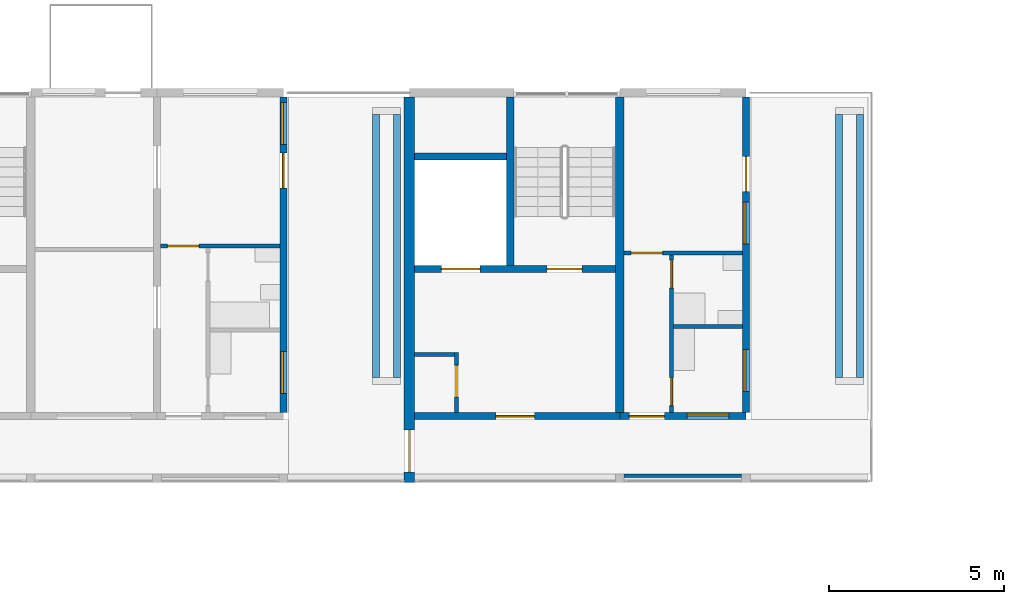
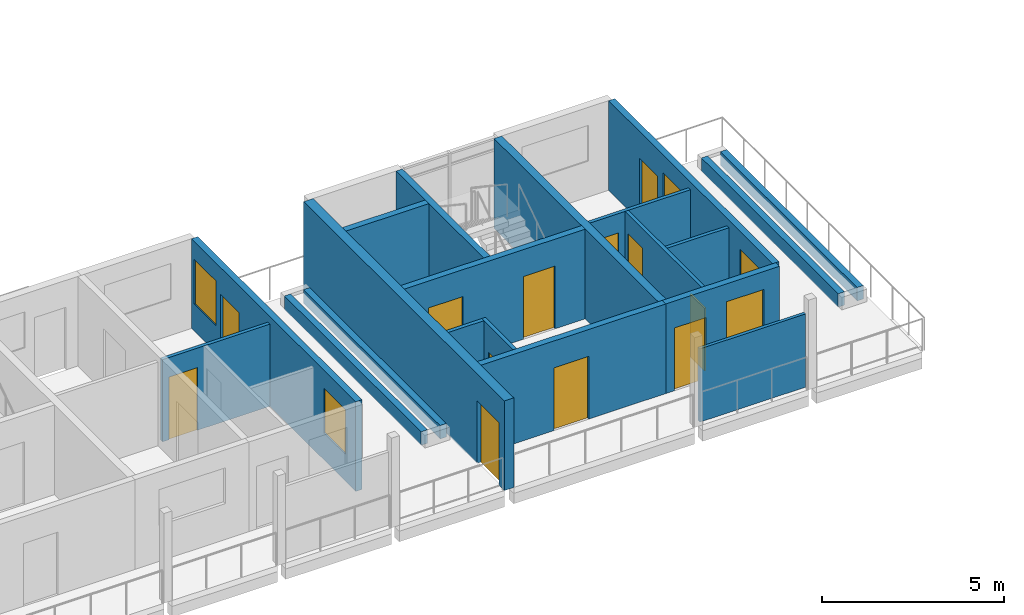
# One storey, part 41 of 94: 20 walls, 12 doors, 5 windows, 17 openings.
"""IFC4 building model written with IfcOpenShell, lengths in metres."""

from ifc_helpers import new_model, si_unit, direction, frame, frame_2d, origin, place, context, subcontext, project, spatial, rectangle, extrude, material, layer, layer_set, type_object, element, fill, save


model = new_model("IFC4")

# Units and contexts
model_context = context("Model", 3, precision=1e-05, world=origin(), true_north=direction((0.0, 1.0)))
body_context = subcontext(model_context, "Body", "Model", "MODEL_VIEW")
ifc_project = project(units=[si_unit("LENGTHUNIT", "METRE"), si_unit("AREAUNIT", "SQUARE_METRE"), si_unit("VOLUMEUNIT", "CUBIC_METRE"), si_unit("PLANEANGLEUNIT", "RADIAN"), si_unit("MASSUNIT", "GRAM", prefix="KILO")], contexts=[model_context])

# Site, building, storey
site_placement = place(None, origin())
site = spatial("IfcSite", under=ifc_project, at=site_placement, CompositionType="ELEMENT")
building_placement = place(site_placement, origin())
building = spatial("IfcBuilding", under=site, at=building_placement, Name="Ridgestep Commons", CompositionType="ELEMENT")
storey_placement = place(building_placement, frame((0.0, 0.0, 21.0)))
storey = spatial("IfcBuildingStorey", under=building, at=storey_placement, Name="L07", CompositionType="ELEMENT", Elevation=21.0)

# Wall
ifc_material_1 = material(Name="Concrete C30/37", Category="concrete")
ifc_layer_1 = layer(ifc_material_1, 0.25)
ifc_layer_set_1 = layer_set([ifc_layer_1], Name="Core cross wall 250")
wall_type_1 = type_object("IfcWallType", Name="Core cross wall 250", PredefinedType="SHEAR", material=ifc_layer_set_1)
wall_1_placement = place(storey_placement, frame((102.0, 68.0, 0.0), z_axis=(0.0, 0.0, 1.0), x_axis=(0.0, 1.0, 0.0)))
element("IfcWall", 1, at=wall_1_placement, inside=storey, type_object=wall_type_1, Name="Cross wall B-07-1020", PredefinedType="SHEAR", context=body_context, shape_type="SweptSolid", body=[
    extrude(rectangle(XDim=9.0, YDim=0.25, at=frame_2d((4.5, 0.0))), origin(), (0.0, 0.0, 1.0), 3.0),
])

# Wall, opening, door
ifc_material_2 = material(Name="Concrete C30/37", Category="concrete")
ifc_layer_2 = layer(ifc_material_2, 0.199951171875)
ifc_layer_set_2 = layer_set([ifc_layer_2], Name="Core south wall 200")
wall_type_2 = type_object("IfcWallType", Name="Core south wall 200", PredefinedType="SHEAR", material=ifc_layer_set_2)
wall_2_placement = place(storey_placement, frame((96.14990234375, 67.89990234375, 0.0), z_axis=(0.0, 0.0, 1.0), x_axis=(1.0, 0.0, 0.0)))
wall_2 = element("IfcWall", 2, at=wall_2_placement, inside=storey, type_object=wall_type_2, Name="Core south wall B6C L07", PredefinedType="SHEAR", context=body_context, shape_type="SweptSolid", body=[
    extrude(rectangle(XDim=5.85009765625, YDim=0.199951171875, at=frame_2d((2.925048828125, 0.0))), origin(), (0.0, 0.0, 1.0), 3.0),
])
opening_1_placement = place(wall_2_placement, frame((2.3125, 0.0, 0.0)))
opening_1 = element("IfcOpeningElement", 3, at=opening_1_placement, cuts=wall_2, Name="Opening B6C/07/1", PredefinedType="OPENING", context=body_context, shape_type="SweptSolid", body=[
    extrude(rectangle(XDim=1.10009765625, YDim=2.10009765625, at=frame_2d((0.550048828125, 1.050048828125))), frame((0.0, 0.10986328125, 0.0), z_axis=(0.0, -1.0, 0.0), x_axis=(1.0, 0.0, 0.0)), (0.0, 0.0, 1.0), 0.219970703125),
])
ifc_material_3 = material(Name="Steel fire door", Category="steel")
door_type_1 = type_object("IfcDoorType", Name="Lobby door 1100 x 2100 FD60", OperationType="NOTDEFINED", PredefinedType="DOOR", material=ifc_material_3)
door_1_placement = place(opening_1_placement, origin())
door_1 = element("IfcDoor", 4, at=door_1_placement, inside=storey, type_object=door_type_1, Name="Lobby door B6C/07/1", OperationType="SINGLE_SWING_LEFT", OverallHeight=2.10009765625, OverallWidth=1.10009765625, PredefinedType="DOOR", context=body_context, shape_type="SweptSolid", body=[
    extrude(rectangle(XDim=1.10009765625, YDim=2.10009765625, at=frame_2d((0.550048828125, 1.050048828125))), frame((0.0, 0.02490234375, 0.0), z_axis=(0.0, -1.0, 0.0), x_axis=(1.0, 0.0, 0.0)), (0.0, 0.0, 1.0), 0.050048828125),
])
fill(opening_1, door_1)

ifc_material_4 = material(Name="Concrete C30/37", Category="concrete")
ifc_layer_3 = layer(ifc_material_4, 0.1201171875)
ifc_layer_set_3 = layer_set([ifc_layer_3], Name="Core wall 120")
wall_type_3 = type_object("IfcWallType", Name="Core wall 120", PredefinedType="SHEAR", material=ifc_layer_set_3)
wall_3_placement = place(storey_placement, frame((97.340087890625, 68.0, 0.0), z_axis=(0.0, 0.0, 1.0), x_axis=(0.0, 1.0, 0.0)))
wall_3 = element("IfcWall", 5, at=wall_3_placement, inside=storey, type_object=wall_type_3, Name="Core riser w wall B6C L07", PredefinedType="SHEAR", context=body_context, shape_type="SweptSolid", body=[
    extrude(rectangle(XDim=1.719970703125, YDim=0.1201171875, at=frame_2d((0.85986328125, 0.0))), origin(), (0.0, 0.0, 1.0), 3.0),
])
opening_2_placement = place(wall_3_placement, frame((0.449951171875, 0.0, 0.0)))
opening_2 = element("IfcOpeningElement", 6, at=opening_2_placement, cuts=wall_3, Name="Opening B6C/07/4", PredefinedType="OPENING", context=body_context, shape_type="SweptSolid", body=[
    extrude(rectangle(XDim=0.89990234375, YDim=2.10009765625, at=frame_2d((0.449951171875, 1.050048828125))), frame((0.0, 0.070068359375, 0.0), z_axis=(0.0, -1.0, 0.0), x_axis=(1.0, 0.0, 0.0)), (0.0, 0.0, 1.0), 0.14013671875),
])
ifc_material_5 = material(Name="Steel fire door", Category="steel")
door_type_2 = type_object("IfcDoorType", Name="Riser door 900 x 2100 FD60", OperationType="NOTDEFINED", PredefinedType="DOOR", material=ifc_material_5)
door_2_placement = place(opening_2_placement, origin())
door_2 = element("IfcDoor", 7, at=door_2_placement, inside=storey, type_object=door_type_2, Name="Riser door B6C/07/4", OperationType="SINGLE_SWING_RIGHT", OverallHeight=2.10009765625, OverallWidth=0.89990234375, PredefinedType="DOOR", context=body_context, shape_type="SweptSolid", body=[
    extrude(rectangle(XDim=0.89990234375, YDim=2.10009765625, at=frame_2d((0.449951171875, 1.050048828125))), frame((0.0, 0.02490234375, 0.0), z_axis=(0.0, -1.0, 0.0), x_axis=(1.0, 0.0, 0.0)), (0.0, 0.0, 1.0), 0.050048828125),
])
fill(opening_2, door_2)

# Wall
wall_4_placement = place(storey_placement, frame((96.14990234375, 69.659912109375, 0.0), z_axis=(0.0, 0.0, 1.0), x_axis=(1.0, 0.0, 0.0)))
element("IfcWall", 8, at=wall_4_placement, inside=storey, type_object=wall_type_3, Name="Core riser n wall B6C L07", PredefinedType="SHEAR", context=body_context, shape_type="SweptSolid", body=[
    extrude(rectangle(XDim=1.130126953125, YDim=0.1201171875, at=frame_2d((0.56494140625, 0.0))), origin(), (0.0, 0.0, 1.0), 3.0),
])

# Wall, openings, doors
ifc_material_6 = material(Name="Concrete C30/37", Category="concrete")
ifc_layer_4 = layer(ifc_material_6, 0.199951171875)
ifc_layer_set_4 = layer_set([ifc_layer_4], Name="Core wall 200")
wall_type_4 = type_object("IfcWallType", Name="Core wall 200", PredefinedType="SHEAR", material=ifc_layer_set_4)
wall_5_placement = place(storey_placement, frame((96.14990234375, 72.10009765625, 0.0), z_axis=(0.0, 0.0, 1.0), x_axis=(1.0, 0.0, 0.0)))
wall_5 = element("IfcWall", 9, at=wall_5_placement, inside=storey, type_object=wall_type_4, Name="Core lobby wall B6C L07", PredefinedType="SHEAR", context=body_context, shape_type="SweptSolid", body=[
    extrude(rectangle(XDim=5.72509765625, YDim=0.199951171875, at=frame_2d((2.862548828125, 0.0))), origin(), (0.0, 0.0, 1.0), 3.0),
])
opening_3_placement = place(wall_5_placement, frame((3.77490234375, 0.0, 0.0)))
opening_3 = element("IfcOpeningElement", 10, at=opening_3_placement, cuts=wall_5, Name="Opening B6C/07/2", PredefinedType="OPENING", context=body_context, shape_type="SweptSolid", body=[
    extrude(rectangle(XDim=1.0, YDim=2.10009765625, at=frame_2d((0.5, 1.050048828125))), frame((0.0, 0.10986328125, 0.0), z_axis=(0.0, -1.0, 0.0), x_axis=(1.0, 0.0, 0.0)), (0.0, 0.0, 1.0), 0.219970703125),
])
opening_4_placement = place(wall_5_placement, frame((0.762451171875, 0.0, 0.0)))
opening_4 = element("IfcOpeningElement", 11, at=opening_4_placement, cuts=wall_5, Name="Opening B6C/07/3", PredefinedType="OPENING", context=body_context, shape_type="SweptSolid", body=[
    extrude(rectangle(XDim=1.10009765625, YDim=2.10009765625, at=frame_2d((0.550048828125, 1.050048828125))), frame((0.0, 0.10986328125, 0.0), z_axis=(0.0, -1.0, 0.0), x_axis=(1.0, 0.0, 0.0)), (0.0, 0.0, 1.0), 0.219970703125),
])
ifc_material_7 = material(Name="Stainless steel", Category="steel")
door_type_3 = type_object("IfcDoorType", Name="Lift landing door 1100 x 2100 FD60", OperationType="DOUBLE_DOOR_SLIDING", PredefinedType="DOOR", material=ifc_material_7)
door_3_placement = place(opening_4_placement, origin())
door_3 = element("IfcDoor", 12, at=door_3_placement, inside=storey, type_object=door_type_3, Name="Landing door LD B6C L07", OperationType="DOUBLE_DOOR_SLIDING", OverallHeight=2.10009765625, OverallWidth=1.10009765625, PredefinedType="DOOR", context=body_context, shape_type="SweptSolid", body=[
    extrude(rectangle(XDim=1.10009765625, YDim=2.10009765625, at=frame_2d((0.550048828125, 1.050048828125))), frame((0.0, 0.02490234375, 0.0), z_axis=(0.0, -1.0, 0.0), x_axis=(1.0, 0.0, 0.0)), (0.0, 0.0, 1.0), 0.050048828125),
])
fill(opening_4, door_3)
ifc_material_8 = material(Name="Steel fire door", Category="steel")
door_type_4 = type_object("IfcDoorType", Name="Stair door 1000 x 2100 FD60", OperationType="NOTDEFINED", PredefinedType="DOOR", material=ifc_material_8)
door_4_placement = place(opening_3_placement, origin())
door_4 = element("IfcDoor", 13, at=door_4_placement, inside=storey, type_object=door_type_4, Name="Stair door B6C/07/2", OperationType="SINGLE_SWING_RIGHT", OverallHeight=2.10009765625, OverallWidth=1.0, PredefinedType="DOOR", context=body_context, shape_type="SweptSolid", body=[
    extrude(rectangle(XDim=1.0, YDim=2.10009765625, at=frame_2d((0.5, 1.050048828125))), frame((0.0, 0.02490234375, 0.0), z_axis=(0.0, -1.0, 0.0), x_axis=(1.0, 0.0, 0.0)), (0.0, 0.0, 1.0), 0.050048828125),
])
fill(opening_3, door_4)

# Walls
wall_6_placement = place(storey_placement, frame((98.875, 72.199951171875, 0.0), z_axis=(0.0, 0.0, 1.0), x_axis=(0.0, 1.0, 0.0)))
element("IfcWall", 14, at=wall_6_placement, inside=storey, type_object=wall_type_4, Name="Core stair wall B6C L07", PredefinedType="SHEAR", context=body_context, shape_type="SweptSolid", body=[
    extrude(rectangle(XDim=4.800048828125, YDim=0.199951171875, at=frame_2d((2.39990234375, 0.0))), origin(), (0.0, 0.0, 1.0), 3.0),
])
wall_7_placement = place(storey_placement, frame((96.14990234375, 75.300048828125, 0.0), z_axis=(0.0, 0.0, 1.0), x_axis=(1.0, 0.0, 0.0)))
element("IfcWall", 15, at=wall_7_placement, inside=storey, type_object=wall_type_4, Name="Core duct wall B6C L07", PredefinedType="SHEAR", context=body_context, shape_type="SweptSolid", body=[
    extrude(rectangle(XDim=2.625, YDim=0.199951171875, at=frame_2d((1.3125, 0.0))), origin(), (0.0, 0.0, 1.0), 3.0),
])

# Wall, openings, windows, door
ifc_material_9 = material(Name="Precast concrete C40/50", Category="concrete")
ifc_layer_5 = layer(ifc_material_9, 0.199951171875)
ifc_layer_set_5 = layer_set([ifc_layer_5], Name="Exposed cross wall 200")
wall_type_5 = type_object("IfcWallType", Name="Exposed cross wall 200", PredefinedType="SHEAR", material=ifc_layer_set_5)
wall_8_placement = place(storey_placement, frame((92.39990234375, 68.0, 0.0), z_axis=(0.0, 0.0, 1.0), x_axis=(0.0, 1.0, 0.0)))
wall_8 = element("IfcWall", 16, at=wall_8_placement, inside=storey, type_object=wall_type_5, Name="Cross wall B-07-0924", PredefinedType="SHEAR", context=body_context, shape_type="SweptSolid", body=[
    extrude(rectangle(XDim=9.0, YDim=0.199951171875, at=frame_2d((4.5, 0.0))), origin(), (0.0, 0.0, 1.0), 3.0),
])
opening_5_placement = place(wall_8_placement, frame((0.550048828125, 0.0, 0.89990234375)))
opening_5 = element("IfcOpeningElement", 17, at=opening_5_placement, cuts=wall_8, Name="Opening W10", PredefinedType="OPENING", context=body_context, shape_type="SweptSolid", body=[
    extrude(rectangle(XDim=1.199951171875, YDim=1.5, at=frame_2d((0.60009765625, 0.75))), frame((0.0, 0.10986328125, 0.0), z_axis=(0.0, -1.0, 0.0), x_axis=(1.0, 0.0, 0.0)), (0.0, 0.0, 1.0), 0.219970703125),
])
opening_6_placement = place(wall_8_placement, frame((7.652587890625, 0.0, 0.89990234375)))
opening_6 = element("IfcOpeningElement", 18, at=opening_6_placement, cuts=wall_8, Name="Opening W10", PredefinedType="OPENING", context=body_context, shape_type="SweptSolid", body=[
    extrude(rectangle(XDim=1.199951171875, YDim=1.5, at=frame_2d((0.60009765625, 0.75))), frame((0.0, 0.10986328125, 0.0), z_axis=(0.0, -1.0, 0.0), x_axis=(1.0, 0.0, 0.0)), (0.0, 0.0, 1.0), 0.219970703125),
])
opening_7_placement = place(wall_8_placement, frame((6.405029296875, 0.0, 0.0)))
opening_7 = element("IfcOpeningElement", 19, at=opening_7_placement, cuts=wall_8, Name="Opening B5-07a/7", PredefinedType="OPENING", context=body_context, shape_type="SweptSolid", body=[
    extrude(rectangle(XDim=1.0, YDim=2.10009765625, at=frame_2d((0.5, 1.050048828125))), frame((0.0, 0.10986328125, 0.0), z_axis=(0.0, -1.0, 0.0), x_axis=(1.0, 0.0, 0.0)), (0.0, 0.0, 1.0), 0.219970703125),
])
ifc_material_10 = material(Name="Aluminium 6063-T6 and glass", Category="aluminium")
window_type_1 = type_object("IfcWindowType", Name="Flat window 1200 x 1500", PartitioningType="SINGLE_PANEL", PredefinedType="WINDOW", material=ifc_material_10)
window_1_placement = place(opening_5_placement, origin())
window_1 = element("IfcWindow", 20, at=window_1_placement, inside=storey, type_object=window_type_1, Name="Window B5-07a 5", OverallHeight=1.5, OverallWidth=1.199951171875, PartitioningType="SINGLE_PANEL", PredefinedType="WINDOW", context=body_context, shape_type="SweptSolid", body=[
    extrude(rectangle(XDim=1.199951171875, YDim=1.5, at=frame_2d((0.60009765625, 0.75))), frame((0.0, 0.06005859375, 0.0), z_axis=(0.0, -1.0, 0.0), x_axis=(1.0, 0.0, 0.0)), (0.0, 0.0, 1.0), 0.06005859375),
])
fill(opening_5, window_1)
window_2_placement = place(opening_6_placement, origin())
window_2 = element("IfcWindow", 21, at=window_2_placement, inside=storey, type_object=window_type_1, Name="Window B5-07a 6", OverallHeight=1.5, OverallWidth=1.199951171875, PartitioningType="SINGLE_PANEL", PredefinedType="WINDOW", context=body_context, shape_type="SweptSolid", body=[
    extrude(rectangle(XDim=1.199951171875, YDim=1.5, at=frame_2d((0.60009765625, 0.75))), frame((0.0, 0.06005859375, 0.0), z_axis=(0.0, -1.0, 0.0), x_axis=(1.0, 0.0, 0.0)), (0.0, 0.0, 1.0), 0.06005859375),
])
fill(opening_6, window_2)
ifc_material_11 = material(Name="Aluminium and glass", Category="aluminium")
door_type_5 = type_object("IfcDoorType", Name="Terrace door 1000 x 2100", OperationType="NOTDEFINED", PredefinedType="DOOR", material=ifc_material_11)
door_5_placement = place(opening_7_placement, origin())
door_5 = element("IfcDoor", 22, at=door_5_placement, inside=storey, type_object=door_type_5, Name="Terrace door B5-07a/7", OperationType="SINGLE_SWING_LEFT", OverallHeight=2.10009765625, OverallWidth=1.0, PredefinedType="DOOR", context=body_context, shape_type="SweptSolid", body=[
    extrude(rectangle(XDim=1.0, YDim=2.10009765625, at=frame_2d((0.5, 1.050048828125))), frame((0.0, 0.02490234375, 0.0), z_axis=(0.0, -1.0, 0.0), x_axis=(1.0, 0.0, 0.0)), (0.0, 0.0, 1.0), 0.050048828125),
])
fill(opening_7, door_5)

wall_9_placement = place(storey_placement, frame((105.60009765625, 68.0, 0.0), z_axis=(0.0, 0.0, 1.0), x_axis=(0.0, 1.0, 0.0)))
wall_9 = element("IfcWall", 23, at=wall_9_placement, inside=storey, type_object=wall_type_5, Name="Cross wall B-07-1056", PredefinedType="SHEAR", context=body_context, shape_type="SweptSolid", body=[
    extrude(rectangle(XDim=9.0, YDim=0.199951171875, at=frame_2d((4.5, 0.0))), origin(), (0.0, 0.0, 1.0), 3.0),
])
opening_8_placement = place(wall_9_placement, frame((0.60009765625, 0.0, 0.89990234375)))
opening_8 = element("IfcOpeningElement", 24, at=opening_8_placement, cuts=wall_9, Name="Opening W10", PredefinedType="OPENING", context=body_context, shape_type="SweptSolid", body=[
    extrude(rectangle(XDim=1.199951171875, YDim=1.5, at=frame_2d((0.60009765625, 0.75))), frame((0.0, 0.10986328125, 0.0), z_axis=(0.0, -1.0, 0.0), x_axis=(1.0, 0.0, 0.0)), (0.0, 0.0, 1.0), 0.219970703125),
])
opening_9_placement = place(wall_9_placement, frame((4.8076171875, 0.0, 0.89990234375)))
opening_9 = element("IfcOpeningElement", 25, at=opening_9_placement, cuts=wall_9, Name="Opening W10", PredefinedType="OPENING", context=body_context, shape_type="SweptSolid", body=[
    extrude(rectangle(XDim=1.199951171875, YDim=1.5, at=frame_2d((0.60009765625, 0.75))), frame((0.0, 0.10986328125, 0.0), z_axis=(0.0, -1.0, 0.0), x_axis=(1.0, 0.0, 0.0)), (0.0, 0.0, 1.0), 0.219970703125),
])
opening_10_placement = place(wall_9_placement, frame((6.304931640625, 0.0, 0.0)))
opening_10 = element("IfcOpeningElement", 26, at=opening_10_placement, cuts=wall_9, Name="Opening B6-07a/5", PredefinedType="OPENING", context=body_context, shape_type="SweptSolid", body=[
    extrude(rectangle(XDim=1.0, YDim=2.10009765625, at=frame_2d((0.5, 1.050048828125))), frame((0.0, 0.10986328125, 0.0), z_axis=(0.0, -1.0, 0.0), x_axis=(1.0, 0.0, 0.0)), (0.0, 0.0, 1.0), 0.219970703125),
])
window_3_placement = place(opening_8_placement, origin())
window_3 = element("IfcWindow", 27, at=window_3_placement, inside=storey, type_object=window_type_1, Name="Window B6-07a 3", OverallHeight=1.5, OverallWidth=1.199951171875, PartitioningType="SINGLE_PANEL", PredefinedType="WINDOW", context=body_context, shape_type="SweptSolid", body=[
    extrude(rectangle(XDim=1.199951171875, YDim=1.5, at=frame_2d((0.60009765625, 0.75))), frame((0.0, 0.06005859375, 0.0), z_axis=(0.0, -1.0, 0.0), x_axis=(1.0, 0.0, 0.0)), (0.0, 0.0, 1.0), 0.06005859375),
])
fill(opening_8, window_3)
window_4_placement = place(opening_9_placement, origin())
window_4 = element("IfcWindow", 28, at=window_4_placement, inside=storey, type_object=window_type_1, Name="Window B6-07a 4", OverallHeight=1.5, OverallWidth=1.199951171875, PartitioningType="SINGLE_PANEL", PredefinedType="WINDOW", context=body_context, shape_type="SweptSolid", body=[
    extrude(rectangle(XDim=1.199951171875, YDim=1.5, at=frame_2d((0.60009765625, 0.75))), frame((0.0, 0.06005859375, 0.0), z_axis=(0.0, -1.0, 0.0), x_axis=(1.0, 0.0, 0.0)), (0.0, 0.0, 1.0), 0.06005859375),
])
fill(opening_9, window_4)
door_6_placement = place(opening_10_placement, origin())
door_6 = element("IfcDoor", 29, at=door_6_placement, inside=storey, type_object=door_type_5, Name="Terrace door B6-07a/5", OperationType="SINGLE_SWING_LEFT", OverallHeight=2.10009765625, OverallWidth=1.0, PredefinedType="DOOR", context=body_context, shape_type="SweptSolid", body=[
    extrude(rectangle(XDim=1.0, YDim=2.10009765625, at=frame_2d((0.5, 1.050048828125))), frame((0.0, 0.02490234375, 0.0), z_axis=(0.0, -1.0, 0.0), x_axis=(1.0, 0.0, 0.0)), (0.0, 0.0, 1.0), 0.050048828125),
])
fill(opening_10, door_6)

# Wall, opening, door
ifc_material_12 = material(Name="Precast concrete C40/50", Category="concrete")
ifc_layer_6 = layer(ifc_material_12, 0.300048828125)
ifc_layer_set_6 = layer_set([ifc_layer_6], Name="Exposed division wall 300")
wall_type_6 = type_object("IfcWallType", Name="Exposed division wall 300", PredefinedType="SHEAR", material=ifc_layer_set_6)
wall_10_placement = place(storey_placement, frame((96.0, 66.0, 0.0), z_axis=(0.0, 0.0, 1.0), x_axis=(0.0, 1.0, 0.0)))
wall_10 = element("IfcWall", 30, at=wall_10_placement, inside=storey, type_object=wall_type_6, Name="Cross wall B-07-0960", PredefinedType="SHEAR", context=body_context, shape_type="SweptSolid", body=[
    extrude(rectangle(XDim=11.0, YDim=0.300048828125, at=frame_2d((5.5, 0.0))), origin(), (0.0, 0.0, 1.0), 3.0),
])
opening_11_placement = place(wall_10_placement, frame((0.300048828125, 0.0, 0.0)))
opening_11 = element("IfcOpeningElement", 31, at=opening_11_placement, cuts=wall_10, Name="Opening B/07/G0960", PredefinedType="OPENING", context=body_context, shape_type="SweptSolid", body=[
    extrude(rectangle(XDim=1.199951171875, YDim=2.10009765625, at=frame_2d((0.60009765625, 1.050048828125))), frame((0.0, 0.159912109375, 0.0), z_axis=(0.0, -1.0, 0.0), x_axis=(1.0, 0.0, 0.0)), (0.0, 0.0, 1.0), 0.320068359375),
])
ifc_material_13 = material(Name="Steel fire door", Category="steel")
door_type_6 = type_object("IfcDoorType", Name="Division fire door 1200 x 2100 EI 240", OperationType="DOUBLE_DOOR_SINGLE_SWING", PredefinedType="DOOR", material=ifc_material_13)
door_7_placement = place(opening_11_placement, origin())
door_7 = element("IfcDoor", 32, at=door_7_placement, inside=storey, type_object=door_type_6, Name="Division fire door B/07/G0960", OperationType="DOUBLE_DOOR_SINGLE_SWING", OverallHeight=2.10009765625, OverallWidth=1.199951171875, PredefinedType="DOOR", context=body_context, shape_type="SweptSolid", body=[
    extrude(rectangle(XDim=1.199951171875, YDim=2.10009765625, at=frame_2d((0.60009765625, 1.050048828125))), frame((0.0, 0.02490234375, 0.0), z_axis=(0.0, -1.0, 0.0), x_axis=(1.0, 0.0, 0.0)), (0.0, 0.0, 1.0), 0.050048828125),
])
fill(opening_11, door_7)

ifc_material_14 = material(Name="Common brick 110 mm", Category="masonry")
ifc_layer_7 = layer(ifc_material_14, 0.110107421875)
ifc_layer_set_7 = layer_set([ifc_layer_7], Name="Partition 110")
wall_type_7 = type_object("IfcWallType", Name="Partition 110", PredefinedType="PARTITIONING", material=ifc_layer_set_7)
wall_11_placement = place(storey_placement, frame((88.89990234375, 72.7548828125, 0.0), z_axis=(0.0, 0.0, 1.0), x_axis=(1.0, 0.0, 0.0)))
wall_11 = element("IfcWall", 33, at=wall_11_placement, inside=storey, type_object=wall_type_7, Name="Partition B5-07a", PredefinedType="PARTITIONING", context=body_context, shape_type="SweptSolid", body=[
    extrude(rectangle(XDim=3.400146484375, YDim=0.110107421875, at=frame_2d((1.7001953125, 0.0))), origin(), (0.0, 0.0, 1.0), 2.75),
])
opening_12_placement = place(wall_11_placement, frame((0.199951171875, 0.0, 0.0)))
opening_12 = element("IfcOpeningElement", 34, at=opening_12_placement, cuts=wall_11, Name="Opening B5-07a/4", PredefinedType="OPENING", context=body_context, shape_type="SweptSolid", body=[
    extrude(rectangle(XDim=0.89990234375, YDim=2.10009765625, at=frame_2d((0.449951171875, 1.050048828125))), frame((0.0, 0.06494140625, 0.0), z_axis=(0.0, -1.0, 0.0), x_axis=(1.0, 0.0, 0.0)), (0.0, 0.0, 1.0), 0.130126953125),
])
ifc_material_15 = material(Name="Timber door leaf", Category="wood")
door_type_7 = type_object("IfcDoorType", Name="Internal door 900 x 2100", OperationType="NOTDEFINED", PredefinedType="DOOR", material=ifc_material_15)
door_8_placement = place(opening_12_placement, origin())
door_8 = element("IfcDoor", 35, at=door_8_placement, inside=storey, type_object=door_type_7, Name="Internal door B5-07a/4", OperationType="SINGLE_SWING_LEFT", OverallHeight=2.10009765625, OverallWidth=0.89990234375, PredefinedType="DOOR", context=body_context, shape_type="SweptSolid", body=[
    extrude(rectangle(XDim=0.89990234375, YDim=2.10009765625, at=frame_2d((0.449951171875, 1.050048828125))), frame((0.0, 0.02490234375, 0.0), z_axis=(0.0, -1.0, 0.0), x_axis=(1.0, 0.0, 0.0)), (0.0, 0.0, 1.0), 0.050048828125),
])
fill(opening_12, door_8)

# Wall, openings, doors
wall_12_placement = place(storey_placement, frame((103.47998046875, 68.0, 0.0), z_axis=(0.0, 0.0, 1.0), x_axis=(0.0, 1.0, 0.0)))
wall_12 = element("IfcWall", 36, at=wall_12_placement, inside=storey, type_object=wall_type_7, Name="Partition B6-07a", PredefinedType="PARTITIONING", context=body_context, shape_type="SweptSolid", body=[
    extrude(rectangle(XDim=4.5, YDim=0.110107421875, at=frame_2d((2.25, 0.0))), origin(), (0.0, 0.0, 1.0), 2.75),
])
opening_13_placement = place(wall_12_placement, frame((0.199951171875, 0.0, 0.0)))
opening_13 = element("IfcOpeningElement", 37, at=opening_13_placement, cuts=wall_12, Name="Opening B6-07a/2", PredefinedType="OPENING", context=body_context, shape_type="SweptSolid", body=[
    extrude(rectangle(XDim=0.800048828125, YDim=2.10009765625, at=frame_2d((0.39990234375, 1.050048828125))), frame((0.0, 0.06494140625, 0.0), z_axis=(0.0, -1.0, 0.0), x_axis=(1.0, 0.0, 0.0)), (0.0, 0.0, 1.0), 0.130126953125),
])
opening_14_placement = place(wall_12_placement, frame((3.550048828125, 0.0, 0.0)))
opening_14 = element("IfcOpeningElement", 38, at=opening_14_placement, cuts=wall_12, Name="Opening B6-07a/3", PredefinedType="OPENING", context=body_context, shape_type="SweptSolid", body=[
    extrude(rectangle(XDim=0.800048828125, YDim=2.10009765625, at=frame_2d((0.39990234375, 1.050048828125))), frame((0.0, 0.06494140625, 0.0), z_axis=(0.0, -1.0, 0.0), x_axis=(1.0, 0.0, 0.0)), (0.0, 0.0, 1.0), 0.130126953125),
])
ifc_material_16 = material(Name="Timber door leaf", Category="wood")
door_type_8 = type_object("IfcDoorType", Name="Internal door 800 x 2100", OperationType="NOTDEFINED", PredefinedType="DOOR", material=ifc_material_16)
door_9_placement = place(opening_13_placement, origin())
door_9 = element("IfcDoor", 39, at=door_9_placement, inside=storey, type_object=door_type_8, Name="Internal door B6-07a/2", OperationType="SINGLE_SWING_RIGHT", OverallHeight=2.10009765625, OverallWidth=0.800048828125, PredefinedType="DOOR", context=body_context, shape_type="SweptSolid", body=[
    extrude(rectangle(XDim=0.800048828125, YDim=2.10009765625, at=frame_2d((0.39990234375, 1.050048828125))), frame((0.0, 0.02490234375, 0.0), z_axis=(0.0, -1.0, 0.0), x_axis=(1.0, 0.0, 0.0)), (0.0, 0.0, 1.0), 0.050048828125),
])
fill(opening_13, door_9)
door_10_placement = place(opening_14_placement, origin())
door_10 = element("IfcDoor", 40, at=door_10_placement, inside=storey, type_object=door_type_8, Name="Internal door B6-07a/3", OperationType="SINGLE_SWING_LEFT", OverallHeight=2.10009765625, OverallWidth=0.800048828125, PredefinedType="DOOR", context=body_context, shape_type="SweptSolid", body=[
    extrude(rectangle(XDim=0.800048828125, YDim=2.10009765625, at=frame_2d((0.39990234375, 1.050048828125))), frame((0.0, 0.02490234375, 0.0), z_axis=(0.0, -1.0, 0.0), x_axis=(1.0, 0.0, 0.0)), (0.0, 0.0, 1.0), 0.050048828125),
])
fill(opening_14, door_10)

# Wall
wall_13_placement = place(storey_placement, frame((103.534912109375, 70.455078125, 0.0), z_axis=(0.0, 0.0, 1.0), x_axis=(1.0, 0.0, 0.0)))
element("IfcWall", 41, at=wall_13_placement, inside=storey, type_object=wall_type_7, Name="Partition B6-07a", PredefinedType="PARTITIONING", context=body_context, shape_type="SweptSolid", body=[
    extrude(rectangle(XDim=1.965087890625, YDim=0.110107421875, at=frame_2d((0.982421875, 0.0))), origin(), (0.0, 0.0, 1.0), 2.75),
])

# Wall, opening, door
wall_14_placement = place(storey_placement, frame((102.125, 72.554931640625, 0.0), z_axis=(0.0, 0.0, 1.0), x_axis=(1.0, 0.0, 0.0)))
wall_14 = element("IfcWall", 42, at=wall_14_placement, inside=storey, type_object=wall_type_7, Name="Partition B6-07a", PredefinedType="PARTITIONING", context=body_context, shape_type="SweptSolid", body=[
    extrude(rectangle(XDim=3.375, YDim=0.110107421875, at=frame_2d((1.6875, 0.0))), origin(), (0.0, 0.0, 1.0), 2.75),
])
opening_15_placement = place(wall_14_placement, frame((0.199951171875, 0.0, 0.0)))
opening_15 = element("IfcOpeningElement", 43, at=opening_15_placement, cuts=wall_14, Name="Opening B6-07a/4", PredefinedType="OPENING", context=body_context, shape_type="SweptSolid", body=[
    extrude(rectangle(XDim=0.89990234375, YDim=2.10009765625, at=frame_2d((0.449951171875, 1.050048828125))), frame((0.0, 0.06494140625, 0.0), z_axis=(0.0, -1.0, 0.0), x_axis=(1.0, 0.0, 0.0)), (0.0, 0.0, 1.0), 0.130126953125),
])
door_11_placement = place(opening_15_placement, origin())
door_11 = element("IfcDoor", 44, at=door_11_placement, inside=storey, type_object=door_type_7, Name="Internal door B6-07a/4", OperationType="SINGLE_SWING_RIGHT", OverallHeight=2.10009765625, OverallWidth=0.89990234375, PredefinedType="DOOR", context=body_context, shape_type="SweptSolid", body=[
    extrude(rectangle(XDim=0.89990234375, YDim=2.10009765625, at=frame_2d((0.449951171875, 1.050048828125))), frame((0.0, 0.02490234375, 0.0), z_axis=(0.0, -1.0, 0.0), x_axis=(1.0, 0.0, 0.0)), (0.0, 0.0, 1.0), 0.050048828125),
])
fill(opening_15, door_11)

# Walls
ifc_material_17 = material(Name="Precast concrete C30/37", Category="concrete")
ifc_layer_8 = layer(ifc_material_17, 0.10009765625)
ifc_layer_set_8 = layer_set([ifc_layer_8], Name="Perforated gallery screen 3350 x 2450 x 100")
wall_type_8 = type_object("IfcWallType", Name="Perforated gallery screen 3350 x 2450 x 100", PredefinedType="SOLIDWALL", material=ifc_layer_set_8)
wall_15_placement = place(storey_placement, frame((102.125, 66.199951171875, 0.0), z_axis=(0.0, 0.0, 1.0), x_axis=(1.0, 0.0, 0.0)))
element("IfcWall", 45, at=wall_15_placement, inside=storey, type_object=wall_type_8, Name="Gallery screen B6T3 07", PredefinedType="SOLIDWALL", context=body_context, shape_type="SweptSolid", body=[
    extrude(rectangle(XDim=3.35009765625, YDim=0.10009765625, at=frame_2d((1.675048828125, 0.0))), origin(), (0.0, 0.0, 1.0), 2.449951171875),
])
ifc_material_18 = material(Name="Facing brick", Category="masonry")
ifc_layer_9 = layer(ifc_material_18, 0.199951171875)
ifc_layer_set_9 = layer_set([ifc_layer_9], Name="Planter wall 200")
wall_type_9 = type_object("IfcWallType", Name="Planter wall 200", PredefinedType="SOLIDWALL", material=ifc_layer_set_9)
for number, where, z_axis, x_axis, name in (
    (46, (95.050048828125, 69.0, 0.010009765625), (0.0, 0.0, 1.0), (0.0, 1.0, 0.0), "Planter wall B5R1W"),
    (47, (95.64990234375, 69.0, 0.010009765625), (0.0, 0.0, 1.0), (0.0, 1.0, 0.0), "Planter wall B5R1E"),
    (48, (108.25, 69.0, 0.010009765625), (0.0, 0.0, 1.0), (0.0, 1.0, 0.0), "Planter wall B6R2W"),
    (49, (108.85009765625, 69.0, 0.010009765625), (0.0, 0.0, 1.0), (0.0, 1.0, 0.0), "Planter wall B6R2E"),
):
    element("IfcWall", number, at=place(storey_placement, frame(where, z_axis=z_axis, x_axis=x_axis)), inside=storey, type_object=wall_type_9, Name=name, PredefinedType="SOLIDWALL", context=body_context, shape_type="SweptSolid", body=[
        extrude(rectangle(XDim=7.5, YDim=0.199951171875, at=frame_2d((3.75, 0.0))), origin(), (0.0, 0.0, 1.0), 0.449951171875),
    ])

# Wall, openings, door, window
ifc_material_19 = material(Name="Precast concrete C40/50", Category="concrete")
ifc_layer_10 = layer(ifc_material_19, 0.199951171875)
ifc_layer_set_10 = layer_set([ifc_layer_10], Name="South facade panel 200")
wall_type_10 = type_object("IfcWallType", Name="South facade panel 200", PredefinedType="SOLIDWALL", material=ifc_layer_set_10)
wall_16_placement = place(storey_placement, frame((102.0, 67.89990234375, 0.0), z_axis=(0.0, 0.0, 1.0), x_axis=(1.0, 0.0, 0.0)))
wall_16 = element("IfcWall", 50, at=wall_16_placement, inside=storey, type_object=wall_type_10, Name="South panel B6T3 L07", PredefinedType="SOLIDWALL", context=body_context, shape_type="SweptSolid", body=[
    extrude(rectangle(XDim=3.60009765625, YDim=0.199951171875, at=frame_2d((1.800048828125, 0.0))), origin(), (0.0, 0.0, 1.0), 3.0),
])
opening_16_placement = place(wall_16_placement, frame((1.91748046875, 0.0, 1.10009765625)))
opening_16 = element("IfcOpeningElement", 51, at=opening_16_placement, cuts=wall_16, Name="Opening W08", PredefinedType="OPENING", context=body_context, shape_type="SweptSolid", body=[
    extrude(rectangle(XDim=1.199951171875, YDim=1.300048828125, at=frame_2d((0.60009765625, 0.64990234375))), frame((0.0, 0.10986328125, 0.0), z_axis=(0.0, -1.0, 0.0), x_axis=(1.0, 0.0, 0.0)), (0.0, 0.0, 1.0), 0.219970703125),
])
opening_17_placement = place(wall_16_placement, frame((0.27490234375, 0.0, 0.0)))
opening_17 = element("IfcOpeningElement", 52, at=opening_17_placement, cuts=wall_16, Name="Opening B6-07a/1", PredefinedType="OPENING", context=body_context, shape_type="SweptSolid", body=[
    extrude(rectangle(XDim=1.0, YDim=2.10009765625, at=frame_2d((0.5, 1.050048828125))), frame((0.0, 0.10986328125, 0.0), z_axis=(0.0, -1.0, 0.0), x_axis=(1.0, 0.0, 0.0)), (0.0, 0.0, 1.0), 0.219970703125),
])
ifc_material_20 = material(Name="Timber door leaf", Category="wood")
door_type_9 = type_object("IfcDoorType", Name="Flat entrance door 1000 x 2100 FD30S", OperationType="NOTDEFINED", PredefinedType="DOOR", material=ifc_material_20)
door_12_placement = place(opening_17_placement, origin())
door_12 = element("IfcDoor", 53, at=door_12_placement, inside=storey, type_object=door_type_9, Name="Flat entrance door B6-07a/1", OperationType="SINGLE_SWING_LEFT", OverallHeight=2.10009765625, OverallWidth=1.0, PredefinedType="DOOR", context=body_context, shape_type="SweptSolid", body=[
    extrude(rectangle(XDim=1.0, YDim=2.10009765625, at=frame_2d((0.5, 1.050048828125))), frame((0.0, 0.02490234375, 0.0), z_axis=(0.0, -1.0, 0.0), x_axis=(1.0, 0.0, 0.0)), (0.0, 0.0, 1.0), 0.050048828125),
])
fill(opening_17, door_12)
ifc_material_21 = material(Name="Aluminium 6063-T6 and glass", Category="aluminium")
window_type_2 = type_object("IfcWindowType", Name="Flat window 1200 x 1300", PartitioningType="SINGLE_PANEL", PredefinedType="WINDOW", material=ifc_material_21)
window_5_placement = place(opening_16_placement, origin())
window_5 = element("IfcWindow", 54, at=window_5_placement, inside=storey, type_object=window_type_2, Name="Window B6-07a 1", OverallHeight=1.300048828125, OverallWidth=1.199951171875, PartitioningType="SINGLE_PANEL", PredefinedType="WINDOW", context=body_context, shape_type="SweptSolid", body=[
    extrude(rectangle(XDim=1.199951171875, YDim=1.300048828125, at=frame_2d((0.60009765625, 0.64990234375))), frame((0.0, 0.06005859375, 0.0), z_axis=(0.0, -1.0, 0.0), x_axis=(1.0, 0.0, 0.0)), (0.0, 0.0, 1.0), 0.06005859375),
])
fill(opening_16, window_5)

save(model, "model.ifc")
